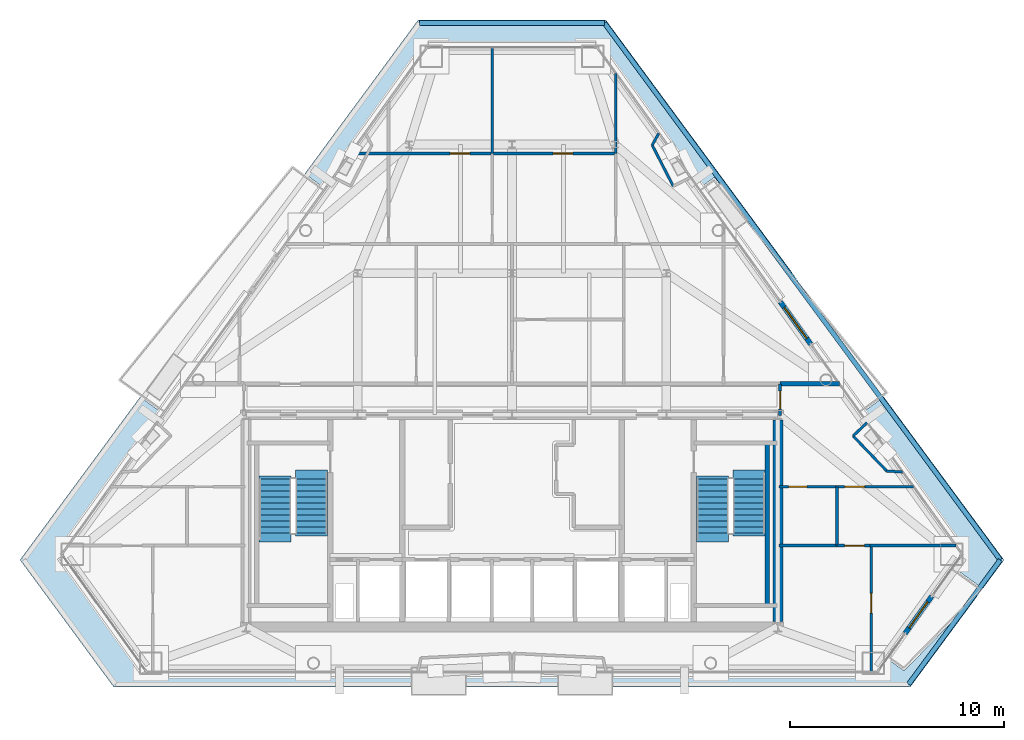
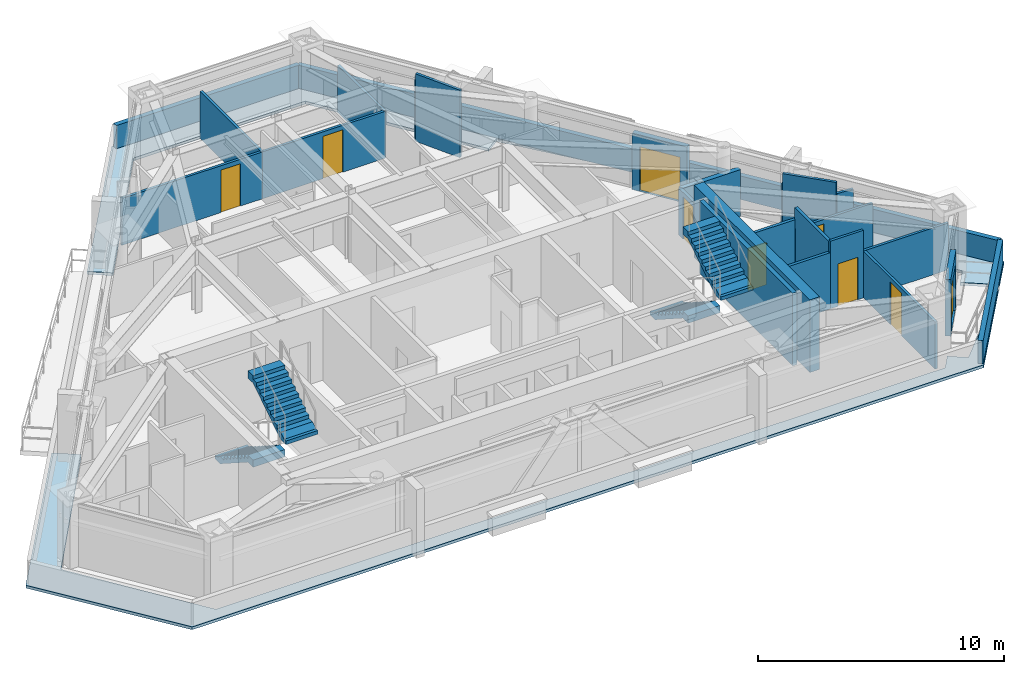
# One storey, part 9 of 11: 25 walls, 9 doors, 4 stair flights, 3 roofs, 9 openings, 2 elements without a shape of their own.
"""IFC4 building model written with IfcOpenShell, lengths in metres."""

from ifc_helpers import new_model, si_unit, direction, frame, frame_2d, origin, place, context, subcontext, project, spatial, polyline, rectangle, outline, extrude, material, layer, layer_set, type_object, element, fill, aggregate, save


model = new_model("IFC4")

# Units and contexts
model_context = context("Model", 3, precision=1e-05, world=origin(), true_north=direction((0.0, 1.0)))
body_context = subcontext(model_context, "Body", "Model", "MODEL_VIEW")
ifc_project = project(units=[si_unit("LENGTHUNIT", "METRE"), si_unit("AREAUNIT", "SQUARE_METRE"), si_unit("VOLUMEUNIT", "CUBIC_METRE"), si_unit("PLANEANGLEUNIT", "RADIAN"), si_unit("MASSUNIT", "GRAM", prefix="KILO")], contexts=[model_context])

# Site, building, storey
site_placement = place(None, origin())
site = spatial("IfcSite", under=ifc_project, at=site_placement, CompositionType="ELEMENT")
building_placement = place(site_placement, origin())
building = spatial("IfcBuilding", under=site, at=building_placement, Name="Talgorran Terracotta Tower", CompositionType="ELEMENT")
storey_placement = place(building_placement, frame((0.0, 0.0, 185.699951171875)))
storey = spatial("IfcBuildingStorey", under=building, at=storey_placement, Name="L48", CompositionType="ELEMENT", Elevation=185.699951171875)

# Wall, opening, door
ifc_material_1 = material(Name="Concrete C40/50", Category="concrete")
ifc_layer_1 = layer(ifc_material_1, 0.239990234375, Name="WT_BALCONY_SPAND")
ifc_layer_set_1 = layer_set([ifc_layer_1], Name="Concrete C40/50")
wall_type_1 = type_object("IfcWallType", Name="WT_BALCONY_SPAND", PredefinedType="STANDARD", material=ifc_layer_set_1)
wall_1_placement = place(storey_placement, frame((13.93359375, -0.91357421875, -0.014892578125), z_axis=(0.0, 0.0, 1.0), x_axis=(-0.584423331063, 0.811448932533, 0.0)))
wall_1 = element("IfcWall", 1, at=wall_1_placement, inside=storey, type_object=wall_type_1, Name="WL-L48-BALP-BAL-NE", PredefinedType="STANDARD", context=body_context, shape_type="SweptSolid", body=[
    extrude(rectangle(XDim=2.43994140625, YDim=0.239990234375, at=frame_2d((1.219970703125, 0.0))), origin(), (0.0, 0.0, 1.0), 2.806884765625),
])
opening_1_placement = place(wall_1_placement, frame((0.320068359375, 0.0, 0.014892578125)))
opening_1 = element("IfcOpeningElement", 2, at=opening_1_placement, cuts=wall_1, Name="Opening D-BAL-L48-1", PredefinedType="OPENING", context=body_context, shape_type="SweptSolid", body=[
    extrude(rectangle(XDim=1.806048828125, YDim=2.203951171875, at=frame_2d((0.89990234375, 1.10205078125))), frame((0.0, 0.1298828125, 0.0), z_axis=(0.0, -1.0, 0.0), x_axis=(1.0, 0.0, 0.0)), (0.0, 0.0, 1.0), 0.260009765625),
])
ifc_material_2 = material(Name="Thermally Broken Aluminium", Category="aluminium")
door_type_1 = type_object("IfcDoorType", Name="DT_BALC_1800", OperationType="SLIDING_TO_LEFT", PredefinedType="DOOR", material=ifc_material_2)
door_1_placement = place(opening_1_placement, origin())
door_1 = element("IfcDoor", 3, at=door_1_placement, inside=storey, type_object=door_type_1, Name="DR-L48-BAL-BAL-NE", OperationType="SLIDING_TO_LEFT", OverallHeight=2.199951171875, OverallWidth=1.800048828125, PredefinedType="DOOR", context=body_context, shape_type="SweptSolid", body=[
    extrude(rectangle(XDim=1.800048828125, YDim=2.199951171875, at=frame_2d((0.89990234375, 1.10009765625))), frame((0.0, 0.02490234375, 0.0), z_axis=(0.0, -1.0, 0.0), x_axis=(1.0, 0.0, 0.0)), (0.0, 0.0, 1.0), 0.050048828125),
])
fill(opening_1, door_1)

wall_2_placement = place(storey_placement, frame((18.32763671875, -14.39892578125, -0.014892578125), z_axis=(0.0, 0.0, 1.0), x_axis=(0.584352812003, 0.811499717255, 0.0)))
wall_2 = element("IfcWall", 4, at=wall_2_placement, inside=storey, type_object=wall_type_1, Name="WL-L48-BALP-BAL-SE", PredefinedType="STANDARD", context=body_context, shape_type="SweptSolid", body=[
    extrude(rectangle(XDim=2.139892578125, YDim=0.239990234375, at=frame_2d((1.06982421875, 0.0))), origin(), (0.0, 0.0, 1.0), 2.806884765625),
])
opening_2_placement = place(wall_2_placement, frame((0.320068359375, 0.0, 0.014892578125)))
opening_2 = element("IfcOpeningElement", 5, at=opening_2_placement, cuts=wall_2, Name="Opening D-BAL-L48-3", PredefinedType="OPENING", context=body_context, shape_type="SweptSolid", body=[
    extrude(rectangle(XDim=1.506, YDim=2.203951171875, at=frame_2d((0.75, 1.10205078125))), frame((0.0, 0.1298828125, 0.0), z_axis=(0.0, -1.0, 0.0), x_axis=(1.0, 0.0, 0.0)), (0.0, 0.0, 1.0), 0.260009765625),
])
door_type_2 = type_object("IfcDoorType", Name="DT_BALC_1500", OperationType="SLIDING_TO_RIGHT", PredefinedType="DOOR", material=ifc_material_2)
door_2_placement = place(opening_2_placement, origin())
door_2 = element("IfcDoor", 6, at=door_2_placement, inside=storey, type_object=door_type_2, Name="DR-L48-BAL-BAL-SE", OperationType="SLIDING_TO_RIGHT", OverallHeight=2.199951171875, OverallWidth=1.5, PredefinedType="DOOR", context=body_context, shape_type="SweptSolid", body=[
    extrude(rectangle(XDim=1.5, YDim=2.199951171875, at=frame_2d((0.75, 1.10009765625))), frame((0.0, 0.02490234375, 0.0), z_axis=(0.0, -1.0, 0.0), x_axis=(1.0, 0.0, 0.0)), (0.0, 0.0, 1.0), 0.050048828125),
])
fill(opening_2, door_2)

# Walls
ifc_material_3 = material(Name="Concrete C50/60", Category="concrete")
ifc_layer_2 = layer(ifc_material_3, 0.199951171875, Name="WT_CORE_200")
ifc_layer_set_2 = layer_set([ifc_layer_2], Name="Concrete C50/60")
wall_type_2 = type_object("IfcWallType", Name="WT_CORE_200", PredefinedType="SOLIDWALL", material=ifc_layer_set_2)
wall_3_placement = place(storey_placement, frame((11.89990234375, -13.10009765625, 0.0), z_axis=(0.0, 0.0, 1.0), x_axis=(0.0, 1.0, 0.0)))
element("IfcWall", 7, at=wall_3_placement, inside=storey, type_object=wall_type_2, Name="WL-L48-CW-ST2-E", PredefinedType="SOLIDWALL", context=body_context, shape_type="SweptSolid", body=[
    extrude(rectangle(XDim=7.580078125, YDim=0.199951171875, at=frame_2d((3.7900390625, 0.0))), origin(), (0.0, 0.0, 1.0), 3.60009765625),
])
ifc_material_4 = material(Name="Concrete C65/80", Category="concrete")
ifc_layer_3 = layer(ifc_material_4, 0.449951171875, Name="WT_CORE_EXT")
ifc_layer_set_3 = layer_set([ifc_layer_3], Name="Concrete C65/80")
wall_type_3 = type_object("IfcWallType", Name="WT_CORE_EXT", PredefinedType="SHEAR", material=ifc_layer_set_3)
wall_4_placement = place(storey_placement, frame((12.39990234375, -13.85009765625, 0.0), z_axis=(0.0, 0.0, 1.0), x_axis=(0.0, 1.0, 0.0)))
element("IfcWall", 8, at=wall_4_placement, inside=storey, type_object=wall_type_3, Name="WL-L48-CW-OUT-E", PredefinedType="SHEAR", context=body_context, shape_type="SweptSolid", body=[
    extrude(rectangle(XDim=9.400146484375, YDim=0.449951171875, at=frame_2d((4.7001953125, 0.0))), origin(), (0.0, 0.0, 1.0), 3.60009765625),
])

# Wall, opening, door
ifc_material_5 = material(Name="Fire-Rated Steel Stud Plasterboard", Category="steel")
ifc_layer_4 = layer(ifc_material_5, 0.14990234375, Name="WT_FIRE_150")
ifc_layer_set_4 = layer_set([ifc_layer_4], Name="Fire-Rated Steel Stud Plasterboard")
wall_type_4 = type_object("IfcWallType", Name="WT_FIRE_150", PredefinedType="PARTITIONING", material=ifc_layer_set_4)
wall_5_placement = place(storey_placement, frame((12.5, -4.239990234375, 0.0), z_axis=(0.0, 0.0, 1.0), x_axis=(0.0, 1.0, 0.0)))
wall_5 = element("IfcWall", 9, at=wall_5_placement, inside=storey, type_object=wall_type_4, Name="WL-L48-W-L48-R02", PredefinedType="PARTITIONING", context=body_context, shape_type="SweptSolid", body=[
    extrude(rectangle(XDim=1.47998046875, YDim=0.14990234375, at=frame_2d((0.739990234375, 0.0))), origin(), (0.0, 0.0, 1.0), 2.324951171875),
])
opening_3_placement = place(wall_5_placement, frame((0.31494140625, 0.0, 0.0)))
opening_3 = element("IfcOpeningElement", 10, at=opening_3_placement, cuts=wall_5, Name="Opening DR-L48-R06", PredefinedType="OPENING", context=body_context, shape_type="SweptSolid", body=[
    extrude(rectangle(XDim=0.826068359375, YDim=2.10409765625, at=frame_2d((0.41015625, 1.052001953125))), frame((0.0, 0.0849609375, 0.0), z_axis=(0.0, -1.0, 0.0), x_axis=(1.0, 0.0, 0.0)), (0.0, 0.0, 1.0), 0.169921875),
])
ifc_material_6 = material(Name="Moisture-Resistant Solid Timber", Category="wood")
door_type_3 = type_object("IfcDoorType", Name="DT_INT_820", OperationType="NOTDEFINED", PredefinedType="DOOR", material=ifc_material_6)
door_3_placement = place(opening_3_placement, origin())
door_3 = element("IfcDoor", 11, at=door_3_placement, inside=storey, type_object=door_type_3, Name="DR-L48-R06", OperationType="SINGLE_SWING_RIGHT", OverallHeight=2.10009765625, OverallWidth=0.820068359375, PredefinedType="DOOR", context=body_context, shape_type="SweptSolid", body=[
    extrude(rectangle(XDim=0.820068359375, YDim=2.10009765625, at=frame_2d((0.41015625, 1.050048828125))), frame((0.0, 0.02490234375, 0.0), z_axis=(0.0, -1.0, 0.0), x_axis=(1.0, 0.0, 0.0)), (0.0, 0.0, 1.0), 0.050048828125),
])
fill(opening_3, door_3)

# Walls
ifc_layer_5 = layer(ifc_material_1, 0.219970703125, Name="WT_PARAPET_RC")
ifc_layer_set_5 = layer_set([ifc_layer_5], Name="Concrete C40/50")
wall_type_5 = type_object("IfcWallType", Name="WT_PARAPET_RC", PredefinedType="PARAPET", material=ifc_layer_set_5)
wall_6_placement = place(storey_placement, frame((18.49267578125, -16.765625, -0.02001953125), z_axis=(0.0, 0.0, 1.0), x_axis=(0.593481202181, 0.804847850627, 0.0)))
element("IfcWall", 12, at=wall_6_placement, inside=storey, type_object=wall_type_5, Name="WL-L48-PARAPET-3", PredefinedType="PARAPET", context=body_context, shape_type="SweptSolid", body=[
    extrude(rectangle(XDim=7.20068359375, YDim=0.219970703125, at=frame_2d((3.600341796875, 0.0))), origin(), (0.0, 0.0, 1.0), 1.170166015625),
])
wall_7_placement = place(storey_placement, frame((22.76611328125, -10.97021484375, -0.02001953125), z_axis=(0.0, 0.0, 1.0), x_axis=(-0.593493783315, 0.804838573359, 0.0)))
element("IfcWall", 13, at=wall_7_placement, inside=storey, type_object=wall_type_5, Name="WL-L48-PARAPET-4", PredefinedType="PARAPET", context=body_context, shape_type="SweptSolid", body=[
    extrude(rectangle(XDim=31.104248046875, YDim=0.219970703125, at=frame_2d((15.55224609375, 0.0))), origin(), (0.0, 0.0, 1.0), 1.170166015625),
])
wall_8_placement = place(storey_placement, frame((4.305908203125, 14.063720703125, -0.02001953125), z_axis=(0.0, 0.0, 1.0), x_axis=(-1.0, 0.0, 0.0)))
element("IfcWall", 14, at=wall_8_placement, inside=storey, type_object=wall_type_5, Name="WL-L48-PARAPET-5", PredefinedType="PARAPET", context=body_context, shape_type="SweptSolid", body=[
    extrude(rectangle(XDim=8.61181640625, YDim=0.219970703125, at=frame_2d((4.305908203125, 0.0))), origin(), (0.0, 0.0, 1.0), 1.170166015625),
])
ifc_material_7 = material(Name="Acoustic Masonry and Plasterboard", Category="masonry")
ifc_layer_6 = layer(ifc_material_7, 0.219970703125, Name="WT_PARTY_220")
ifc_layer_set_6 = layer_set([ifc_layer_6], Name="Acoustic Masonry and Plasterboard")
wall_type_6 = type_object("IfcWallType", Name="WT_PARTY_220", PredefinedType="PARTITIONING", material=ifc_layer_set_6)
wall_9_placement = place(storey_placement, frame((12.5, -2.760009765625, 0.0), z_axis=(0.0, 0.0, 1.0), x_axis=(1.0, 0.0, 0.0)))
element("IfcWall", 15, at=wall_9_placement, inside=storey, type_object=wall_type_6, Name="WL-L48-W-L48-R19", PredefinedType="PARTITIONING", context=body_context, shape_type="SweptSolid", body=[
    extrude(rectangle(XDim=2.763427734375, YDim=0.219970703125, at=frame_2d((1.3818359375, 0.0))), origin(), (0.0, 0.0, 1.0), 2.324951171875),
])

# Wall, opening, door
ifc_material_8 = material(Name="Insulated Steel Stud Plasterboard", Category="steel")
ifc_layer_7 = layer(ifc_material_8, 0.1201171875, Name="WT_PART_120")
ifc_layer_set_7 = layer_set([ifc_layer_7], Name="Insulated Steel Stud Plasterboard")
wall_type_7 = type_object("IfcWallType", Name="WT_PART_120", PredefinedType="PARTITIONING", material=ifc_layer_set_7)
wall_10_placement = place(storey_placement, frame((-7.528564453125, 7.97998046875, 0.0), z_axis=(0.0, 0.0, 1.0), x_axis=(1.0, 0.0, 0.0)))
wall_10 = element("IfcWall", 16, at=wall_10_placement, inside=storey, type_object=wall_type_7, Name="WL-L48-W-L48-R39", PredefinedType="PARTITIONING", context=body_context, shape_type="SweptSolid", body=[
    extrude(rectangle(XDim=6.608642578125, YDim=0.1201171875, at=frame_2d((3.30419921875, 0.0))), origin(), (0.0, 0.0, 1.0), 2.324951171875),
])
opening_4_placement = place(wall_10_placement, frame((4.6484375, 0.0, 0.0)))
opening_4 = element("IfcOpeningElement", 17, at=opening_4_placement, cuts=wall_10, Name="Opening DR-L48-R18", PredefinedType="OPENING", context=body_context, shape_type="SweptSolid", body=[
    extrude(rectangle(XDim=0.925921875, YDim=2.10409765625, at=frame_2d((0.4599609375, 1.052001953125))), frame((0.0, 0.070068359375, 0.0), z_axis=(0.0, -1.0, 0.0), x_axis=(1.0, 0.0, 0.0)), (0.0, 0.0, 1.0), 0.14013671875),
])
ifc_material_9 = material(Name="Solid-Core Painted Timber", Category="wood")
door_type_4 = type_object("IfcDoorType", Name="DT_INT_920", OperationType="NOTDEFINED", PredefinedType="DOOR", material=ifc_material_9)
door_4_placement = place(opening_4_placement, origin())
door_4 = element("IfcDoor", 18, at=door_4_placement, inside=storey, type_object=door_type_4, Name="DR-L48-R18", OperationType="SINGLE_SWING_RIGHT", OverallHeight=2.10009765625, OverallWidth=0.919921875, PredefinedType="DOOR", context=body_context, shape_type="SweptSolid", body=[
    extrude(rectangle(XDim=0.919921875, YDim=2.10009765625, at=frame_2d((0.4599609375, 1.050048828125))), frame((0.0, 0.02490234375, 0.0), z_axis=(0.0, -1.0, 0.0), x_axis=(1.0, 0.0, 0.0)), (0.0, 0.0, 1.0), 0.050048828125),
])
fill(opening_4, door_4)

wall_11_placement = place(storey_placement, frame((16.760009765625, -16.185546875, 0.0), z_axis=(0.0, 0.0, 1.0), x_axis=(0.0, 1.0, 0.0)))
wall_11 = element("IfcWall", 19, at=wall_11_placement, inside=storey, type_object=wall_type_7, Name="WL-L48-W-L48-R24", PredefinedType="PARTITIONING", context=body_context, shape_type="SweptSolid", body=[
    extrude(rectangle(XDim=5.885498046875, YDim=0.1201171875, at=frame_2d((2.94287109375, 0.0))), origin(), (0.0, 0.0, 1.0), 2.324951171875),
])
opening_5_placement = place(wall_11_placement, frame((2.73193359375, 0.0, 0.0)))
opening_5 = element("IfcOpeningElement", 20, at=opening_5_placement, cuts=wall_11, Name="Opening DR-L48-R10", PredefinedType="OPENING", context=body_context, shape_type="SweptSolid", body=[
    extrude(rectangle(XDim=0.925921875, YDim=2.10409765625, at=frame_2d((0.4599609375, 1.052001953125))), frame((0.0, 0.070068359375, 0.0), z_axis=(0.0, -1.0, 0.0), x_axis=(1.0, 0.0, 0.0)), (0.0, 0.0, 1.0), 0.14013671875),
])
door_5_placement = place(opening_5_placement, origin())
door_5 = element("IfcDoor", 21, at=door_5_placement, inside=storey, type_object=door_type_4, Name="DR-L48-R10", OperationType="SINGLE_SWING_RIGHT", OverallHeight=2.10009765625, OverallWidth=0.919921875, PredefinedType="DOOR", context=body_context, shape_type="SweptSolid", body=[
    extrude(rectangle(XDim=0.919921875, YDim=2.10009765625, at=frame_2d((0.4599609375, 1.050048828125))), frame((0.0, 0.02490234375, 0.0), z_axis=(0.0, -1.0, 0.0), x_axis=(1.0, 0.0, 0.0)), (0.0, 0.0, 1.0), 0.050048828125),
])
fill(opening_5, door_5)

wall_12_placement = place(storey_placement, frame((-0.919921875, 7.97998046875, 0.0), z_axis=(0.0, 0.0, 1.0), x_axis=(1.0, 0.0, 0.0)))
wall_12 = element("IfcWall", 22, at=wall_12_placement, inside=storey, type_object=wall_type_7, Name="WL-L48-W-L48-R42", PredefinedType="PARTITIONING", context=body_context, shape_type="SweptSolid", body=[
    extrude(rectangle(XDim=5.760009765625, YDim=0.1201171875, at=frame_2d((2.8798828125, 0.0))), origin(), (0.0, 0.0, 1.0), 2.324951171875),
])
opening_6_placement = place(wall_12_placement, frame((2.840087890625, 0.0, 0.0)))
opening_6 = element("IfcOpeningElement", 23, at=opening_6_placement, cuts=wall_12, Name="Opening DR-L48-R20", PredefinedType="OPENING", context=body_context, shape_type="SweptSolid", body=[
    extrude(rectangle(XDim=0.925921875, YDim=2.10409765625, at=frame_2d((0.4599609375, 1.052001953125))), frame((0.0, 0.070068359375, 0.0), z_axis=(0.0, -1.0, 0.0), x_axis=(1.0, 0.0, 0.0)), (0.0, 0.0, 1.0), 0.14013671875),
])
door_6_placement = place(opening_6_placement, origin())
door_6 = element("IfcDoor", 24, at=door_6_placement, inside=storey, type_object=door_type_4, Name="DR-L48-R20", OperationType="SINGLE_SWING_RIGHT", OverallHeight=2.10009765625, OverallWidth=0.919921875, PredefinedType="DOOR", context=body_context, shape_type="SweptSolid", body=[
    extrude(rectangle(XDim=0.919921875, YDim=2.10009765625, at=frame_2d((0.4599609375, 1.050048828125))), frame((0.0, 0.02490234375, 0.0), z_axis=(0.0, -1.0, 0.0), x_axis=(1.0, 0.0, 0.0)), (0.0, 0.0, 1.0), 0.050048828125),
])
fill(opening_6, door_6)

# Walls
wall_13_placement = place(storey_placement, frame((-0.919921875, 7.97998046875, 0.0), z_axis=(0.0, 0.0, 1.0), x_axis=(0.0, 1.0, 0.0)))
element("IfcWall", 25, at=wall_13_placement, inside=storey, type_object=wall_type_7, Name="WL-L48-W-L48-R41", PredefinedType="PARTITIONING", context=body_context, shape_type="SweptSolid", body=[
    extrude(rectangle(XDim=4.940185546875, YDim=0.1201171875, at=frame_2d((2.47021484375, 0.0))), origin(), (0.0, 0.0, 1.0), 2.324951171875),
])
wall_14_placement = place(storey_placement, frame((16.699951171875, -10.300048828125, 0.0), z_axis=(0.0, 0.0, 1.0), x_axis=(1.0, 0.0, 0.0)))
element("IfcWall", 26, at=wall_14_placement, inside=storey, type_object=wall_type_7, Name="WL-L48-W-L48-R23", PredefinedType="PARTITIONING", context=body_context, shape_type="SweptSolid", body=[
    extrude(rectangle(XDim=3.99365234375, YDim=0.1201171875, at=frame_2d((1.996826171875, 0.0))), origin(), (0.0, 0.0, 1.0), 2.324951171875),
])
wall_15_placement = place(storey_placement, frame((4.840087890625, 7.97998046875, 0.0), z_axis=(0.0, 0.0, 1.0), x_axis=(0.0, 1.0, 0.0)))
element("IfcWall", 27, at=wall_15_placement, inside=storey, type_object=wall_type_7, Name="WL-L48-W-L48-R44", PredefinedType="PARTITIONING", context=body_context, shape_type="SweptSolid", body=[
    extrude(rectangle(XDim=3.733154296875, YDim=0.1201171875, at=frame_2d((1.86669921875, 0.0))), origin(), (0.0, 0.0, 1.0), 2.324951171875),
])

# Wall, opening, door
wall_16_placement = place(storey_placement, frame((15.080078125, -7.56005859375, 0.0), z_axis=(0.0, 0.0, 1.0), x_axis=(1.0, 0.0, 0.0)))
wall_16 = element("IfcWall", 28, at=wall_16_placement, inside=storey, type_object=wall_type_7, Name="WL-L48-W-L48-R18", PredefinedType="PARTITIONING", context=body_context, shape_type="SweptSolid", body=[
    extrude(rectangle(XDim=3.64013671875, YDim=0.1201171875, at=frame_2d((1.820068359375, 0.0))), origin(), (0.0, 0.0, 1.0), 2.324951171875),
])
opening_7_placement = place(wall_16_placement, frame((0.4375, 0.0, 0.0)))
opening_7 = element("IfcOpeningElement", 29, at=opening_7_placement, cuts=wall_16, Name="Opening DR-L48-R08", PredefinedType="OPENING", context=body_context, shape_type="SweptSolid", body=[
    extrude(rectangle(XDim=0.925921875, YDim=2.10409765625, at=frame_2d((0.4599609375, 1.052001953125))), frame((0.0, 0.070068359375, 0.0), z_axis=(0.0, -1.0, 0.0), x_axis=(1.0, 0.0, 0.0)), (0.0, 0.0, 1.0), 0.14013671875),
])
door_7_placement = place(opening_7_placement, origin())
door_7 = element("IfcDoor", 30, at=door_7_placement, inside=storey, type_object=door_type_4, Name="DR-L48-R08", OperationType="SINGLE_SWING_RIGHT", OverallHeight=2.10009765625, OverallWidth=0.919921875, PredefinedType="DOOR", context=body_context, shape_type="SweptSolid", body=[
    extrude(rectangle(XDim=0.919921875, YDim=2.10009765625, at=frame_2d((0.4599609375, 1.050048828125))), frame((0.0, 0.02490234375, 0.0), z_axis=(0.0, -1.0, 0.0), x_axis=(1.0, 0.0, 0.0)), (0.0, 0.0, 1.0), 0.050048828125),
])
fill(opening_7, door_7)

# Walls
wall_17_placement = place(storey_placement, frame((17.470947265625, -6.823486328125, 0.0), z_axis=(0.0, 0.0, 1.0), x_axis=(-0.692938318289, 0.720996870345, 0.0)))
element("IfcWall", 31, at=wall_17_placement, inside=storey, type_object=wall_type_7, Name="WL-L48-BW-L48-12", PredefinedType="PARTITIONING", context=body_context, shape_type="SweptSolid", body=[
    extrude(rectangle(XDim=2.26220703125, YDim=0.1201171875, at=frame_2d((1.131103515625, 0.0))), origin(), (0.0, 0.0, 1.0), 3.35009765625),
])
wall_18_placement = place(storey_placement, frame((7.518310546875, 6.45556640625, 0.0), z_axis=(0.0, 0.0, 1.0), x_axis=(-0.456180683214, 0.889887175018, 0.0)))
element("IfcWall", 32, at=wall_18_placement, inside=storey, type_object=wall_type_7, Name="WL-L48-BW-L48-17", PredefinedType="PARTITIONING", context=body_context, shape_type="SweptSolid", body=[
    extrude(rectangle(XDim=2.15087890625, YDim=0.1201171875, at=frame_2d((1.075439453125, 0.0))), origin(), (0.0, 0.0, 1.0), 3.35009765625),
])

# Wall, opening, door
wall_19_placement = place(storey_placement, frame((15.159912109375, -10.300048828125, 0.0), z_axis=(0.0, 0.0, 1.0), x_axis=(1.0, 0.0, 0.0)))
wall_19 = element("IfcWall", 33, at=wall_19_placement, inside=storey, type_object=wall_type_7, Name="WL-L48-W-L48-R22", PredefinedType="PARTITIONING", context=body_context, shape_type="SweptSolid", body=[
    extrude(rectangle(XDim=1.5380859375, YDim=0.1201171875, at=frame_2d((0.76904296875, 0.0))), origin(), (0.0, 0.0, 1.0), 3.35009765625),
])
opening_8_placement = place(wall_19_placement, frame((0.350830078125, 0.0, 0.0)))
opening_8 = element("IfcOpeningElement", 34, at=opening_8_placement, cuts=wall_19, Name="Opening DR-L48-R09", PredefinedType="OPENING", context=body_context, shape_type="SweptSolid", body=[
    extrude(rectangle(XDim=0.925921875, YDim=2.10409765625, at=frame_2d((0.4599609375, 1.052001953125))), frame((0.0, 0.070068359375, 0.0), z_axis=(0.0, -1.0, 0.0), x_axis=(1.0, 0.0, 0.0)), (0.0, 0.0, 1.0), 0.14013671875),
])
door_8_placement = place(opening_8_placement, origin())
door_8 = element("IfcDoor", 35, at=door_8_placement, inside=storey, type_object=door_type_4, Name="DR-L48-R09", OperationType="SINGLE_SWING_LEFT", OverallHeight=2.10009765625, OverallWidth=0.919921875, PredefinedType="DOOR", context=body_context, shape_type="SweptSolid", body=[
    extrude(rectangle(XDim=0.919921875, YDim=2.10009765625, at=frame_2d((0.4599609375, 1.050048828125))), frame((0.0, 0.02490234375, 0.0), z_axis=(0.0, -1.0, 0.0), x_axis=(1.0, 0.0, 0.0)), (0.0, 0.0, 1.0), 0.050048828125),
])
fill(opening_8, door_8)

# Walls
wall_20_placement = place(storey_placement, frame((15.9033203125, -5.1923828125, 0.0), z_axis=(0.0, 0.0, 1.0), x_axis=(0.72092156137, 0.693016668164, 0.0)))
element("IfcWall", 36, at=wall_20_placement, inside=storey, type_object=wall_type_7, Name="WL-L48-BW-L48-10", PredefinedType="PARTITIONING", context=body_context, shape_type="SweptSolid", body=[
    extrude(rectangle(XDim=0.901123046875, YDim=0.1201171875, at=frame_2d((0.45068359375, 0.0))), origin(), (0.0, 0.0, 1.0), 2.7919921875),
])
wall_21_placement = place(storey_placement, frame((18.213134765625, -6.872802734375, 0.0), z_axis=(0.0, 0.0, 1.0), x_axis=(-0.997799657242, 0.066301161435, 0.0)))
element("IfcWall", 37, at=wall_21_placement, inside=storey, type_object=wall_type_7, Name="WL-L48-BW-L48-11", PredefinedType="PARTITIONING", context=body_context, shape_type="SweptSolid", body=[
    extrude(rectangle(XDim=0.743896484375, YDim=0.1201171875, at=frame_2d((0.3720703125, 0.0))), origin(), (0.0, 0.0, 1.0), 2.7919921875),
])
wall_22_placement = place(storey_placement, frame((6.537109375, 8.36962890625, 0.0), z_axis=(0.0, 0.0, 1.0), x_axis=(0.485146567495, 0.874432849365, 0.0)))
element("IfcWall", 38, at=wall_22_placement, inside=storey, type_object=wall_type_7, Name="WL-L48-BW-L48-18", PredefinedType="PARTITIONING", context=body_context, shape_type="SweptSolid", body=[
    extrude(rectangle(XDim=0.62646484375, YDim=0.1201171875, at=frame_2d((0.313232421875, 0.0))), origin(), (0.0, 0.0, 1.0), 2.7919921875),
])

# Wall, opening, door
ifc_material_10 = material(Name="Moisture-Resistant Stud Wall")
ifc_layer_8 = layer(ifc_material_10, 0.135009765625, Name="WT_PART_135")
ifc_layer_set_8 = layer_set([ifc_layer_8], Name="Moisture-Resistant Stud Wall")
wall_type_8 = type_object("IfcWallType", Name="WT_PART_135", PredefinedType="PARTITIONING", material=ifc_layer_set_8)
wall_23_placement = place(storey_placement, frame((12.43994140625, -7.56005859375, 0.0), z_axis=(0.0, 0.0, 1.0), x_axis=(1.0, 0.0, 0.0)))
wall_23 = element("IfcWall", 39, at=wall_23_placement, inside=storey, type_object=wall_type_8, Name="WL-L48-W-L48-R17", PredefinedType="PARTITIONING", context=body_context, shape_type="SweptSolid", body=[
    extrude(rectangle(XDim=2.637939453125, YDim=0.135009765625, at=frame_2d((1.31884765625, 0.0))), origin(), (0.0, 0.0, 1.0), 2.7919921875),
])
opening_9_placement = place(wall_23_placement, frame((0.458251953125, 0.0, 0.0)))
opening_9 = element("IfcOpeningElement", 40, at=opening_9_placement, cuts=wall_23, Name="Opening DR-L48-R07", PredefinedType="OPENING", context=body_context, shape_type="SweptSolid", body=[
    extrude(rectangle(XDim=0.85609765625, YDim=2.10409765625, at=frame_2d((0.425048828125, 1.052001953125))), frame((0.0, 0.07763671875, 0.0), z_axis=(0.0, -1.0, 0.0), x_axis=(1.0, 0.0, 0.0)), (0.0, 0.0, 1.0), 0.155029296875),
])
door_type_5 = type_object("IfcDoorType", Name="DT_INT_850", OperationType="NOTDEFINED", PredefinedType="DOOR", material=ifc_material_6)
door_9_placement = place(opening_9_placement, origin())
door_9 = element("IfcDoor", 41, at=door_9_placement, inside=storey, type_object=door_type_5, Name="DR-L48-R07", OperationType="SINGLE_SWING_LEFT", OverallHeight=2.10009765625, OverallWidth=0.85009765625, PredefinedType="DOOR", context=body_context, shape_type="SweptSolid", body=[
    extrude(rectangle(XDim=0.85009765625, YDim=2.10009765625, at=frame_2d((0.425048828125, 1.050048828125))), frame((0.0, 0.02490234375, 0.0), z_axis=(0.0, -1.0, 0.0), x_axis=(1.0, 0.0, 0.0)), (0.0, 0.0, 1.0), 0.050048828125),
])
fill(opening_9, door_9)

# Walls
wall_24_placement = place(storey_placement, frame((15.159912109375, -10.300048828125, 0.0), z_axis=(0.0, 0.0, 1.0), x_axis=(0.0, 1.0, 0.0)))
element("IfcWall", 42, at=wall_24_placement, inside=storey, type_object=wall_type_8, Name="WL-L48-W-L48-R20", PredefinedType="PARTITIONING", context=body_context, shape_type="SweptSolid", body=[
    extrude(rectangle(XDim=2.739990234375, YDim=0.135009765625, at=frame_2d((1.3701171875, 0.0))), origin(), (0.0, 0.0, 1.0), 3.35009765625),
])
wall_25_placement = place(storey_placement, frame((12.43994140625, -10.300048828125, 0.0), z_axis=(0.0, 0.0, 1.0), x_axis=(1.0, 0.0, 0.0)))
element("IfcWall", 43, at=wall_25_placement, inside=storey, type_object=wall_type_8, Name="WL-L48-W-L48-R21", PredefinedType="PARTITIONING", context=body_context, shape_type="SweptSolid", body=[
    extrude(rectangle(XDim=2.719970703125, YDim=0.135009765625, at=frame_2d((1.35986328125, 0.0))), origin(), (0.0, 0.0, 1.0), 2.7919921875),
])

# Stair, stair flights
stair_type = type_object("IfcStairType", Name="ST_FIRE_SCISSOR", PredefinedType="HALF_TURN_STAIR", material=ifc_material_1)
stair_1_placement = place(storey_placement, origin())
stair_1 = element("IfcStair", 44, at=stair_1_placement, inside=storey, type_object=stair_type, Name="L48 West Protected Fire Stair ST-01", PredefinedType="HALF_TURN_STAIR")
ifc_layer_9 = layer(ifc_material_1, 0.179931640625, Name="STF_RC_1500")
ifc_layer_set_9 = layer_set([ifc_layer_9], Name="Concrete C40/50")
stair_flight_type = type_object("IfcStairFlightType", Name="STF_RC_1500", PredefinedType="STRAIGHT", material=ifc_layer_set_9)
stair_flight_1_placement = place(storey_placement, frame((-11.050048828125, -7.199951171875, 0.0), z_axis=(0.0, 0.0, 1.0), x_axis=(0.0, -1.0, 0.0)))
stair_flight_1 = element("IfcStairFlight", 45, at=stair_flight_1_placement, type_object=stair_flight_type, Name="ST-01 flight 1", NumberOfRisers=10, NumberOfTreads=9, PredefinedType="STRAIGHT", RiserHeight=0.18, TreadLength=0.28, context=body_context, shape_type="SweptSolid", body=[
    extrude(outline(polyline([(-0.139892578125, 0.0), (-0.139892578125, 0.179931640625), (0.0, 0.179931640625), (0.280029296875, 0.360107421875), (0.56005859375, 0.360107421875), (0.56005859375, 0.5400390625), (0.840087890625, 0.5400390625), (0.840087890625, 0.719970703125), (1.1201171875, 0.719970703125), (1.1201171875, 0.89990234375), (1.39990234375, 0.89990234375), (1.39990234375, 1.080078125), (1.679931640625, 1.080078125), (1.679931640625, 1.260009765625), (1.9599609375, 1.260009765625), (1.9599609375, 1.43994140625), (2.239990234375, 1.43994140625), (2.239990234375, 1.6201171875), (2.52001953125, 1.6201171875), (2.52001953125, 1.800048828125), (2.93994140625, 1.800048828125), (2.93994140625, 1.44189453125), (2.52001953125, 1.44189453125), (0.277099609375, 0.0), (-0.139892578125, 0.0)])), frame((0.0, 0.75, 0.0), z_axis=(0.0, -1.0, 0.0), x_axis=(1.0, 0.0, 0.0)), (0.0, 0.0, 1.0), 1.5),
])
stair_flight_2_placement = place(storey_placement, frame((-9.35009765625, -9.719970703125, 1.800048828125), z_axis=(0.0, 0.0, 1.0), x_axis=(0.0, 1.0, 0.0)))
stair_flight_2 = element("IfcStairFlight", 46, at=stair_flight_2_placement, type_object=stair_flight_type, Name="ST-01 flight 2", NumberOfRisers=10, NumberOfTreads=9, PredefinedType="STRAIGHT", RiserHeight=0.18, TreadLength=0.28, context=body_context, shape_type="SweptSolid", body=[
    extrude(outline(polyline([(-0.139892578125, 0.0), (-0.139892578125, 0.179931640625), (0.0, 0.179931640625), (0.280029296875, 0.360107421875), (0.56005859375, 0.360107421875), (0.56005859375, 0.5400390625), (0.840087890625, 0.5400390625), (0.840087890625, 0.719970703125), (1.1201171875, 0.719970703125), (1.1201171875, 0.89990234375), (1.39990234375, 0.89990234375), (1.39990234375, 1.080078125), (1.679931640625, 1.080078125), (1.679931640625, 1.260009765625), (1.9599609375, 1.260009765625), (1.9599609375, 1.43994140625), (2.239990234375, 1.43994140625), (2.239990234375, 1.6201171875), (2.52001953125, 1.6201171875), (2.52001953125, 1.800048828125), (2.93994140625, 1.800048828125), (2.93994140625, 1.44189453125), (2.52001953125, 1.44189453125), (0.277099609375, 0.0), (-0.139892578125, 0.0)])), frame((0.0, 0.75, 0.0), z_axis=(0.0, -1.0, 0.0), x_axis=(1.0, 0.0, 0.0)), (0.0, 0.0, 1.0), 1.5),
])
aggregate(stair_1, [stair_flight_1, stair_flight_2])

stair_2_placement = place(storey_placement, origin())
stair_2 = element("IfcStair", 47, at=stair_2_placement, inside=storey, type_object=stair_type, Name="L48 East Protected Fire Stair ST-02", PredefinedType="HALF_TURN_STAIR")
stair_flight_3_placement = place(storey_placement, frame((9.35009765625, -7.199951171875, 0.0), z_axis=(0.0, 0.0, 1.0), x_axis=(0.0, -1.0, 0.0)))
stair_flight_3 = element("IfcStairFlight", 48, at=stair_flight_3_placement, type_object=stair_flight_type, Name="ST-02 flight 1", NumberOfRisers=10, NumberOfTreads=9, PredefinedType="STRAIGHT", RiserHeight=0.18, TreadLength=0.28, context=body_context, shape_type="SweptSolid", body=[
    extrude(outline(polyline([(-0.139892578125, 0.0), (-0.139892578125, 0.179931640625), (0.0, 0.179931640625), (0.280029296875, 0.360107421875), (0.56005859375, 0.360107421875), (0.56005859375, 0.5400390625), (0.840087890625, 0.5400390625), (0.840087890625, 0.719970703125), (1.1201171875, 0.719970703125), (1.1201171875, 0.89990234375), (1.39990234375, 0.89990234375), (1.39990234375, 1.080078125), (1.679931640625, 1.080078125), (1.679931640625, 1.260009765625), (1.9599609375, 1.260009765625), (1.9599609375, 1.43994140625), (2.239990234375, 1.43994140625), (2.239990234375, 1.6201171875), (2.52001953125, 1.6201171875), (2.52001953125, 1.800048828125), (2.93994140625, 1.800048828125), (2.93994140625, 1.44189453125), (2.52001953125, 1.44189453125), (0.277099609375, 0.0), (-0.139892578125, 0.0)])), frame((0.0, 0.75, 0.0), z_axis=(0.0, -1.0, 0.0), x_axis=(1.0, 0.0, 0.0)), (0.0, 0.0, 1.0), 1.5),
])
stair_flight_4_placement = place(storey_placement, frame((11.050048828125, -9.719970703125, 1.800048828125), z_axis=(0.0, 0.0, 1.0), x_axis=(0.0, 1.0, 0.0)))
stair_flight_4 = element("IfcStairFlight", 49, at=stair_flight_4_placement, type_object=stair_flight_type, Name="ST-02 flight 2", NumberOfRisers=10, NumberOfTreads=9, PredefinedType="STRAIGHT", RiserHeight=0.18, TreadLength=0.28, context=body_context, shape_type="SweptSolid", body=[
    extrude(outline(polyline([(-0.139892578125, 0.0), (-0.139892578125, 0.179931640625), (0.0, 0.179931640625), (0.280029296875, 0.360107421875), (0.56005859375, 0.360107421875), (0.56005859375, 0.5400390625), (0.840087890625, 0.5400390625), (0.840087890625, 0.719970703125), (1.1201171875, 0.719970703125), (1.1201171875, 0.89990234375), (1.39990234375, 0.89990234375), (1.39990234375, 1.080078125), (1.679931640625, 1.080078125), (1.679931640625, 1.260009765625), (1.9599609375, 1.260009765625), (1.9599609375, 1.43994140625), (2.239990234375, 1.43994140625), (2.239990234375, 1.6201171875), (2.52001953125, 1.6201171875), (2.52001953125, 1.800048828125), (2.93994140625, 1.800048828125), (2.93994140625, 1.44189453125), (2.52001953125, 1.44189453125), (0.277099609375, 0.0), (-0.139892578125, 0.0)])), frame((0.0, 0.75, 0.0), z_axis=(0.0, -1.0, 0.0), x_axis=(1.0, 0.0, 0.0)), (0.0, 0.0, 1.0), 1.5),
])
aggregate(stair_2, [stair_flight_3, stair_flight_4])

# Roofs
ifc_material_11 = material(Name="Standing-Seam Terracotta Metal Deck", Category="masonry")
ifc_layer_10 = layer(ifc_material_11, 0.139892578125, Name="RF_CROWN_TERRA")
ifc_layer_set_10 = layer_set([ifc_layer_10], Name="Standing-Seam Terracotta Metal Deck")
roof_type = type_object("IfcRoofType", Name="RF_CROWN_TERRA", PredefinedType="SHED_ROOF", material=ifc_layer_set_10)
roof_1_placement = place(storey_placement, frame((0.0, 0.0, -0.139892578125)))
element("IfcRoof", 50, at=roof_1_placement, inside=storey, type_object=roof_type, Name="L48 Setback Weathering Roof Apron 1", PredefinedType="FLAT_ROOF", context=body_context, shape_type="SweptSolid", body=[
    extrude(outline(polyline([(8.80615234375, 6.4111328125), (4.0322265625, 13.0400390625), (-4.0322265625, 13.0400390625), (-8.80615234375, 6.4111328125), (-9.666015625, 7.030517578125), (-4.376708984375, 14.20361328125), (4.376708984375, 14.20361328125), (13.35205078125, 2.031982421875), (9.432861328125, 6.862548828125), (8.80615234375, 6.4111328125)])), origin(), (0.0, 0.0, 1.0), 0.139892578125),
])
roof_2_placement = place(storey_placement, frame((0.0, 0.0, -0.139892578125)))
element("IfcRoof", 51, at=roof_2_placement, inside=storey, type_object=roof_type, Name="L48 Setback Weathering Roof Apron 2", PredefinedType="FLAT_ROOF", context=body_context, shape_type="SweptSolid", body=[
    extrude(outline(polyline([(-17.102294921875, -16.3056640625), (17.102294921875, -16.3056640625), (17.58447265625, -15.635986328125), (18.2841796875, -16.14013671875), (21.771728515625, -12.5546875), (18.563232421875, -16.905517578125), (-18.563232421875, -16.905517578125), (-22.93994140625, -10.97021484375), (-17.33837890625, -3.373779296875), (-16.360595703125, -4.077880859375), (-21.134521484375, -10.706787109375), (-17.102294921875, -16.3056640625)])), origin(), (0.0, 0.0, 1.0), 0.139892578125),
])
roof_3_placement = place(storey_placement, frame((0.0, 0.0, -0.139892578125)))
element("IfcRoof", 52, at=roof_3_placement, inside=storey, type_object=roof_type, Name="L48 Setback Weathering Roof Apron 3", PredefinedType="FLAT_ROOF", context=body_context, shape_type="SweptSolid", body=[
    extrude(outline(polyline([(21.134521484375, -10.706787109375), (16.360595703125, -4.077880859375), (17.33837890625, -3.373779296875), (22.93994140625, -10.97021484375), (21.950927734375, -12.3115234375), (20.65234375, -11.376220703125), (21.134521484375, -10.706787109375)])), origin(), (0.0, 0.0, 1.0), 0.139892578125),
])

save(model, "model.ifc")
